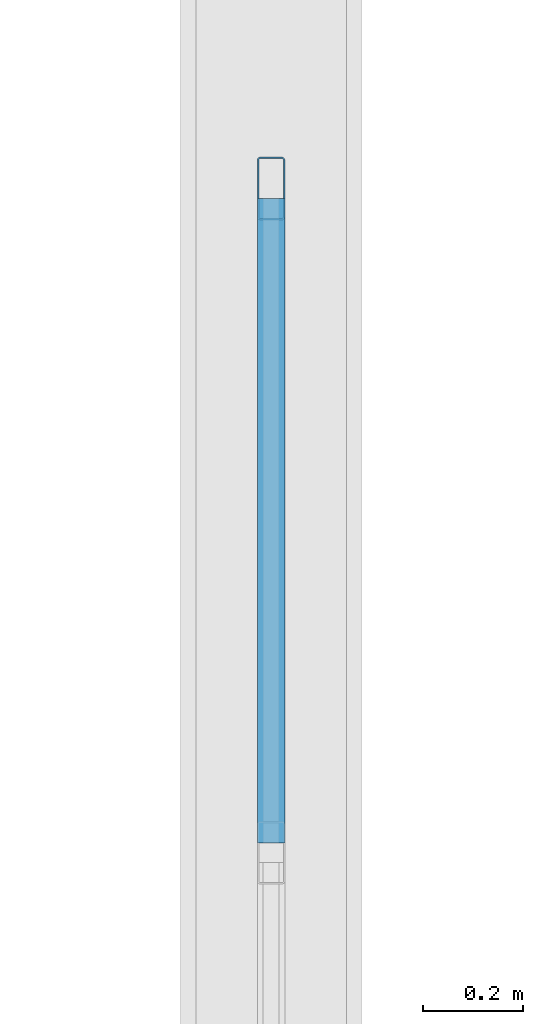
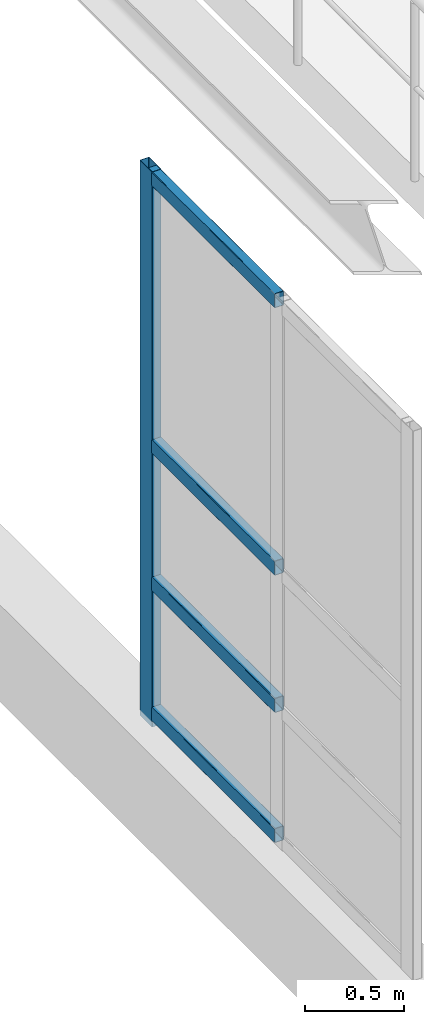
# One storey, part 73 of 197: 5 members, 1 element without a shape of its own.
"""IFC4 building model written with IfcOpenShell, lengths in metres."""

from ifc_helpers import new_model, si_unit, derived_unit, direction, frame, origin, origin_2d, place, context, subcontext, project, spatial, hollow_rectangle, extrude, material, layer, layer_set, material_profile, profile_set, type_object, element, aggregate, save


model = new_model("IFC4")

# Units and contexts
model_context = context("Model", 3, precision=1e-05, world=origin(), true_north=direction((0.0, 1.0)))
body_context = subcontext(model_context, "Body", "Model", "MODEL_VIEW")
ifc_project = project(units=[si_unit("LENGTHUNIT", "METRE"), si_unit("AREAUNIT", "SQUARE_METRE"), si_unit("VOLUMEUNIT", "CUBIC_METRE"), si_unit("PLANEANGLEUNIT", "RADIAN"), si_unit("MASSUNIT", "GRAM", prefix="KILO"), derived_unit("THERMALTRANSMITTANCEUNIT", [(si_unit("POWERUNIT", "WATT"), 1), (si_unit("LENGTHUNIT", "METRE"), -2), (si_unit("THERMODYNAMICTEMPERATUREUNIT", "KELVIN"), -1)])], contexts=[model_context])

# Site, building, storey
site_placement = place(None, origin())
site = spatial("IfcSite", under=ifc_project, at=site_placement, CompositionType="ELEMENT")
building_placement = place(site_placement, origin())
building = spatial("IfcBuilding", under=site, at=building_placement, Name="Almenara Railside Exhibition Hall", CompositionType="ELEMENT")
storey_placement = place(building_placement, frame((0.0, 0.0, 5.39990234375)))
storey = spatial("IfcBuildingStorey", under=building, at=storey_placement, Name="L01", CompositionType="ELEMENT", Elevation=5.39990234375)

# Curtain wall, members
ifc_material_1 = material(Name="Bronze-anodised aluminium and low-E double glazing", Category="aluminium")
ifc_layer = layer(ifc_material_1, 0.179931640625, Name="Bronze-anodised aluminium and low-E double glazing")
ifc_layer_set = layer_set([ifc_layer], Name="Bronze-anodised aluminium and low-E double glazing")
curtain_wall_type = type_object("IfcCurtainWallType", Name="Courtyard South Galeria Curtain Wall 2700x3400", PredefinedType="NOTDEFINED", material=ifc_layer_set)
curtain_wall_placement = place(storey_placement, origin())
curtain_wall = element("IfcCurtainWall", 1, at=curtain_wall_placement, inside=storey, type_object=curtain_wall_type, Name="Curtain wall CW-CY3-150", PredefinedType="NOTDEFINED")
ifc_material_2 = material(Name="Bronze-anodised aluminium", Category="aluminium")
ifc_material_profile_1 = material_profile(ifc_material_2, hollow_rectangle(XDim=0.054931640625, YDim=0.125, WallThickness=0.0029296875, InnerFilletRadius=0.0029296875, OuterFilletRadius=0.006103515625, at=origin_2d()), Name="ALU-MUL 55x125x3")
ifc_profile_set_1 = profile_set([ifc_material_profile_1], Name="Bronze-anodised aluminium")
member_type_1 = type_object("IfcMemberType", Name="Curtain Wall Mullion 55x125x3", PredefinedType="MULLION", material=ifc_profile_set_1)
member_1_placement = place(storey_placement, frame((120.0, 76.718017578125, 0.565185546875), z_axis=(0.0, 0.0, 1.0), x_axis=(-1.0, 0.0, 0.0)))
member_1 = element("IfcMember", 2, at=member_1_placement, type_object=member_type_1, Name="CW-CY3-150 mullion 3", PredefinedType="MULLION", context=body_context, shape_type="SweptSolid", body=[
    extrude(hollow_rectangle(XDim=0.054931640625, YDim=0.125, WallThickness=0.0029296875, InnerFilletRadius=0.0029296875, OuterFilletRadius=0.006103515625, at=origin_2d()), origin(), (0.0, 0.0, 1.0), 3.434814453125),
])
ifc_material_profile_2 = material_profile(ifc_material_2, hollow_rectangle(XDim=0.054931640625, YDim=0.090087890625, WallThickness=0.0029296875, InnerFilletRadius=0.0029296875, OuterFilletRadius=0.006103515625, at=origin_2d()), Name="ALU-TRN 55x90x3")
ifc_profile_set_2 = profile_set([ifc_material_profile_2], Name="Bronze-anodised aluminium")
member_type_2 = type_object("IfcMemberType", Name="Curtain Wall Transom 55x90x3", PredefinedType="USERDEFINED", material=ifc_profile_set_2)
member_2_placement = place(storey_placement, frame((120.0, 75.4150390625, 0.64501953125), z_axis=(0.0, 1.0, 0.0), x_axis=(-1.0, 0.0, 0.0)))
member_2 = element("IfcMember", 3, at=member_2_placement, type_object=member_type_2, Name="CW-CY3-150 transom 2.1", ObjectType="TRANSOM", PredefinedType="USERDEFINED", context=body_context, shape_type="SweptSolid", body=[
    extrude(hollow_rectangle(XDim=0.054931640625, YDim=0.090087890625, WallThickness=0.0029296875, InnerFilletRadius=0.0029296875, OuterFilletRadius=0.006103515625, at=origin_2d()), origin(), (0.0, 0.0, 1.0), 1.283447265625),
])
member_3_placement = place(storey_placement, frame((120.0, 75.4150390625, 1.4501953125), z_axis=(0.0, 1.0, 0.0), x_axis=(-1.0, 0.0, 0.0)))
member_3 = element("IfcMember", 4, at=member_3_placement, type_object=member_type_2, Name="CW-CY3-150 transom 2.2", ObjectType="TRANSOM", PredefinedType="USERDEFINED", context=body_context, shape_type="SweptSolid", body=[
    extrude(hollow_rectangle(XDim=0.054931640625, YDim=0.090087890625, WallThickness=0.0029296875, InnerFilletRadius=0.0029296875, OuterFilletRadius=0.006103515625, at=origin_2d()), origin(), (0.0, 0.0, 1.0), 1.283447265625),
])
member_4_placement = place(storey_placement, frame((120.0, 75.4150390625, 2.300048828125), z_axis=(0.0, 1.0, 0.0), x_axis=(-1.0, 0.0, 0.0)))
member_4 = element("IfcMember", 5, at=member_4_placement, type_object=member_type_2, Name="CW-CY3-150 transom 2.3", ObjectType="TRANSOM", PredefinedType="USERDEFINED", context=body_context, shape_type="SweptSolid", body=[
    extrude(hollow_rectangle(XDim=0.054931640625, YDim=0.090087890625, WallThickness=0.0029296875, InnerFilletRadius=0.0029296875, OuterFilletRadius=0.006103515625, at=origin_2d()), origin(), (0.0, 0.0, 1.0), 1.283447265625),
])
member_5_placement = place(storey_placement, frame((120.0, 75.4150390625, 3.955078125), z_axis=(0.0, 1.0, 0.0), x_axis=(-1.0, 0.0, 0.0)))
member_5 = element("IfcMember", 6, at=member_5_placement, type_object=member_type_2, Name="CW-CY3-150 transom 2.4", ObjectType="TRANSOM", PredefinedType="USERDEFINED", context=body_context, shape_type="SweptSolid", body=[
    extrude(hollow_rectangle(XDim=0.054931640625, YDim=0.090087890625, WallThickness=0.0029296875, InnerFilletRadius=0.0029296875, OuterFilletRadius=0.006103515625, at=origin_2d()), origin(), (0.0, 0.0, 1.0), 1.283447265625),
])
aggregate(curtain_wall, [member_1, member_2, member_3, member_4, member_5])

save(model, "model.ifc")
